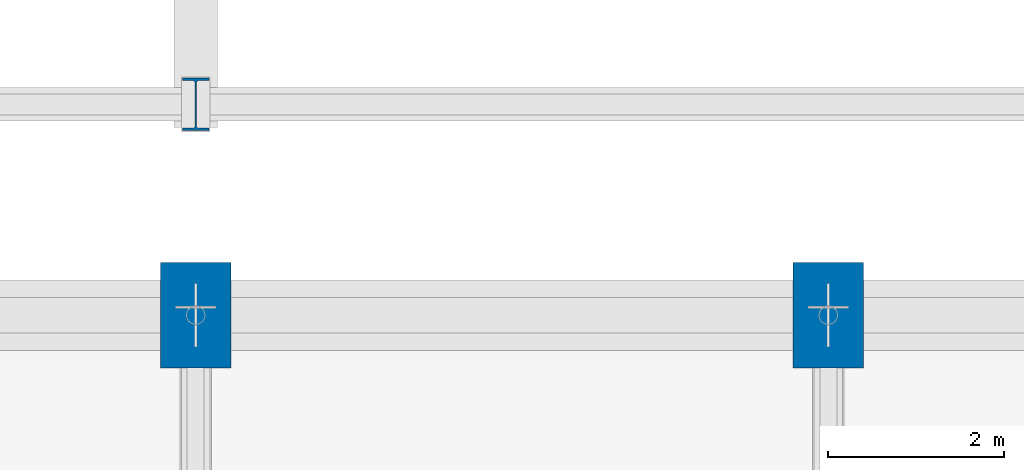
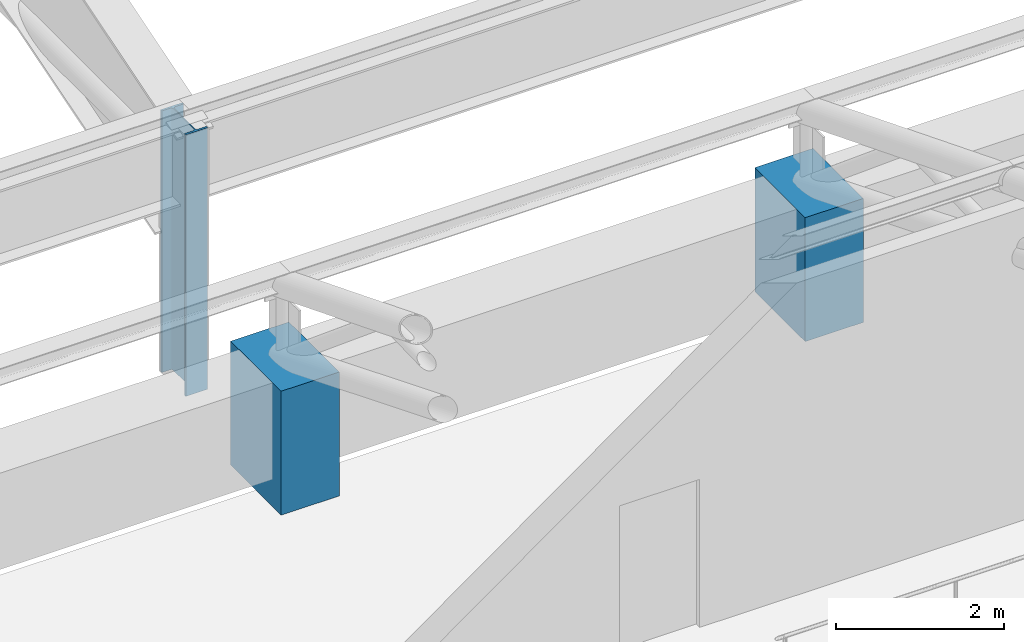
# One storey, part 8 of 116: 3 columns.
"""IFC4 building model written with IfcOpenShell, lengths in metres."""

import ifcopenshell
import ifcopenshell.guid

model = None  # the IFC model being written
_history = None  # IfcOwnerHistory: only IFC2X3 demands one
_inside = {}  # id of a spatial element -> (the spatial element, [elements in it])
_under = {}  # id of a project, library or spatial element -> (it, [spatial elements below it])
_declared = {}  # id of a project -> (the project, [libraries it declares])
_typed = {}  # id of a type object -> (the type object, [elements of that type])
_made_of = {}  # id of a material, layer set ... -> (it, [elements and type objects made of it])


def new_model(schema):
    """Start an empty IFC model of exactly this schema.

    Asked for "IFC4X3", IfcOpenShell would pick the latest addendum, in which some entities
    have other attributes; the version numbers below select the first issue.
    IFC2X3 requires an IfcOwnerHistory on every rooted entity: one is made here for all.
    """
    global model, _history
    if schema == "IFC4X3":
        model = ifcopenshell.file(schema_version=(4, 3, 0, 0))
    else:
        model = ifcopenshell.file(schema=schema)
    _inside.clear()
    _under.clear()
    _declared.clear()
    _typed.clear()
    _made_of.clear()
    _history = None
    if model.schema == "IFC2X3":
        org = make("IfcOrganization", Name="unknown")
        user = make(
            "IfcPersonAndOrganization",
            ThePerson=make("IfcPerson", FamilyName="unknown"),
            TheOrganization=org,
        )
        app = make(
            "IfcApplication",
            ApplicationDeveloper=org,
            Version="unknown",
            ApplicationFullName="unknown",
            ApplicationIdentifier="unknown",
        )
        _history = make(
            "IfcOwnerHistory",
            OwningUser=user,
            OwningApplication=app,
            ChangeAction="ADDED",
            CreationDate=0,
        )
    return model


def make(cls, **values):
    """One entity of the class cls with the attributes given. An attribute that is None is left unset."""
    return model.create_entity(
        cls, **{name: value for name, value in values.items() if value is not None}
    )


def rooted(cls, **values):
    """An entity with a GlobalId (a new one), such as an element, a storey or a relation."""
    return make(cls, GlobalId=ifcopenshell.guid.new(), OwnerHistory=_history, **values)


def si_unit(unit_type, name, prefix=None):
    """IfcSIUnit, for example si_unit("LENGTHUNIT", "METRE", prefix="MILLI")."""
    return make("IfcSIUnit", UnitType=unit_type, Prefix=prefix, Name=name)


def assignment(units):
    """IfcUnitAssignment: the units of a project."""
    return None if units is None else make("IfcUnitAssignment", Units=units)


def point(xyz):
    """IfcCartesianPoint."""
    return None if xyz is None else make("IfcCartesianPoint", Coordinates=xyz)


def direction(xyz):
    """IfcDirection."""
    return None if xyz is None else make("IfcDirection", DirectionRatios=xyz)


def frame(location, z_axis=None, x_axis=None):
    """IfcAxis2Placement3D, a coordinate frame: its origin and axes. An axis left out is left unset."""
    return make(
        "IfcAxis2Placement3D",
        Location=point(location),
        Axis=direction(z_axis),
        RefDirection=direction(x_axis),
    )


def frame_2d(location, x_axis=None):
    """IfcAxis2Placement2D, a coordinate frame in the plane: its origin and x axis."""
    return make(
        "IfcAxis2Placement2D", Location=point(location), RefDirection=direction(x_axis)
    )


def origin():
    """The frame at (0, 0, 0) with its axes left unset."""
    return frame((0.0, 0.0, 0.0))


def origin_2d():
    """The frame at (0, 0) in the plane with its x axis left unset."""
    return frame_2d((0.0, 0.0))


def place(relative_to, where):
    """IfcLocalPlacement: puts the frame where relative to a parent placement (None: the world)."""
    return make(
        "IfcLocalPlacement", PlacementRelTo=relative_to, RelativePlacement=where
    )


def context(
    kind, dimensions, precision=None, world=None, true_north=None, identifier=None
):
    """IfcGeometricRepresentationContext, for example the 3D "Model" context."""
    return make(
        "IfcGeometricRepresentationContext",
        ContextIdentifier=identifier,
        ContextType=kind,
        CoordinateSpaceDimension=dimensions,
        Precision=precision,
        WorldCoordinateSystem=world,
        TrueNorth=true_north,
    )


def subcontext(parent, identifier, kind, view, scale=None):
    """IfcGeometricRepresentationSubContext, for example "Body" below "Model"."""
    return make(
        "IfcGeometricRepresentationSubContext",
        ContextIdentifier=identifier,
        ContextType=kind,
        ParentContext=parent,
        TargetScale=scale,
        TargetView=view,
    )


def project(units=None, contexts=None):
    """IfcProject with its units and contexts."""
    return rooted(
        "IfcProject",
        Name="project",
        RepresentationContexts=contexts,
        UnitsInContext=assignment(units),
    )


def spatial(cls, under=None, at=None, **own):
    """A site, building, storey or space (cls), placed at a placement, below another one or the project."""
    s = rooted(cls, ObjectPlacement=at, **own)
    if under is not None:
        _under.setdefault(under.id(), (under, []))[1].append(s)
    return s


def profile(cls, at=None, kind="AREA", **sizes):
    """A parametric profile (cls). Its sizes go by their IFC names, for example OverallWidth=200.0."""
    return make(cls, ProfileType=kind, Position=at, **sizes)


def rectangle(**sizes):
    """IfcRectangleProfileDef."""
    return profile("IfcRectangleProfileDef", **sizes)


def i_section(**sizes):
    """IfcIShapeProfileDef."""
    return profile("IfcIShapeProfileDef", **sizes)


def extrude(swept, where, along, depth):
    """IfcExtrudedAreaSolid: the profile swept, set in the frame where, extruded along a direction by depth."""
    return make(
        "IfcExtrudedAreaSolid",
        SweptArea=swept,
        Position=where,
        ExtrudedDirection=direction(along),
        Depth=depth,
    )


def shape(context_of_items, identifier, shape_type, items):
    """IfcShapeRepresentation: the items that make up one representation, for example the "Body"."""
    return make(
        "IfcShapeRepresentation",
        ContextOfItems=context_of_items,
        RepresentationIdentifier=identifier,
        RepresentationType=shape_type,
        Items=items,
    )


def material(Name=None, Category=None):
    """IfcMaterial."""
    return make("IfcMaterial", Name=Name, Category=Category)


def material_profile(
    of_material, cross_section, Name=None, Category=None, Priority=None
):
    """IfcMaterialProfile: a cross section and its material."""
    return make(
        "IfcMaterialProfile",
        Name=Name,
        Material=of_material,
        Profile=cross_section,
        Priority=Priority,
        Category=Category,
    )


def profile_set(profiles, Name=None, composite=None):
    """IfcMaterialProfileSet."""
    return make(
        "IfcMaterialProfileSet",
        Name=Name,
        MaterialProfiles=profiles,
        CompositeProfile=composite,
    )


def made_of(thing, what):
    """Note that an element or type object is made of a material, layer set ...; save() writes the relation."""
    if what is not None:
        _made_of.setdefault(what.id(), (what, []))[1].append(thing)
    return thing


def type_object(cls, material=None, **own):
    """A type object (cls), such as IfcWallType, which elements share."""
    return made_of(rooted(cls, **own), material)


def element(
    cls,
    number,
    at=None,
    inside=None,
    cuts=None,
    type_object=None,
    material=None,
    context=None,
    identifier="Body",
    shape_type=None,
    held_by="IfcProductDefinitionShape",
    body=None,
    shapes=None,
    **own,
):
    """One element of the class cls, such as IfcWall. Its Tag is "e" and its number.

    at: its placement. inside: the storey or other place that contains it. cuts: it is an
    opening in that element (IfcRelVoidsElement). A single representation is given by context,
    identifier, shape_type and body (its items); several are given by shapes. held_by: the class
    of the entity that holds the representations. save() writes the other relations.
    """
    e = rooted(cls, Tag="e%d" % number, ObjectPlacement=at, **own)
    if body is not None:
        shapes = [shape(context, identifier, shape_type, body)]
    if shapes is not None:
        e.Representation = make(held_by, Representations=shapes)
    if inside is not None:
        _inside.setdefault(inside.id(), (inside, []))[1].append(e)
    if cuts is not None:
        rooted(
            "IfcRelVoidsElement", RelatingBuildingElement=cuts, RelatedOpeningElement=e
        )
    if type_object is not None:
        _typed.setdefault(type_object.id(), (type_object, []))[1].append(e)
    return made_of(e, material)


def aggregate(whole, parts):
    """IfcRelAggregates: a whole, such as a stair, and the parts it consists of."""
    return rooted("IfcRelAggregates", RelatingObject=whole, RelatedObjects=parts)


def save(model, path):
    """Write the relations noted so far, then the file.

    IfcRelAggregates (storeys below a building ...), IfcRelContainedInSpatialStructure (elements
    in a storey), IfcRelDefinesByType, IfcRelAssociatesMaterial and IfcRelDeclares: one each for
    every whole, place, type object, material and project.
    """
    for whole, parts in _under.values():
        aggregate(whole, parts)
    for where, things in _inside.values():
        rooted(
            "IfcRelContainedInSpatialStructure",
            RelatedElements=things,
            RelatingStructure=where,
        )
    for kind, things in _typed.values():
        rooted("IfcRelDefinesByType", RelatedObjects=things, RelatingType=kind)
    for what, things in _made_of.values():
        rooted("IfcRelAssociatesMaterial", RelatedObjects=things, RelatingMaterial=what)
    for by, libraries in _declared.values():
        rooted("IfcRelDeclares", RelatingContext=by, RelatedDefinitions=libraries)
    model.write(path)


model = new_model("IFC4")

# Units and contexts
model_context = context("Model", 3, precision=1e-05, world=origin(), true_north=direction((0.0, 1.0)))
body_context = subcontext(model_context, "Body", "Model", "MODEL_VIEW")
ifc_project = project(units=[si_unit("LENGTHUNIT", "METRE"), si_unit("AREAUNIT", "SQUARE_METRE"), si_unit("VOLUMEUNIT", "CUBIC_METRE"), si_unit("PLANEANGLEUNIT", "RADIAN"), si_unit("MASSUNIT", "GRAM", prefix="KILO")], contexts=[model_context])

# Site, building, storey
site_placement = place(None, origin())
site = spatial("IfcSite", under=ifc_project, at=site_placement, CompositionType="ELEMENT")
building_placement = place(site_placement, origin())
building = spatial("IfcBuilding", under=site, at=building_placement, Name="Cendralis Lancet Convention Centre", CompositionType="ELEMENT")
storey_placement = place(building_placement, frame((0.0, 0.0, 15.0)))
storey = spatial("IfcBuildingStorey", under=building, at=storey_placement, Name="L03", CompositionType="ELEMENT", Elevation=15.0)

# Columns
ifc_material_1 = material(Name="Concrete G40 (C40/50)", Category="concrete")
ifc_material_profile_1 = material_profile(ifc_material_1, rectangle(XDim=0.800048828125, YDim=1.199951171875, at=origin_2d()), Name="RC 800x1200")
ifc_profile_set_1 = profile_set([ifc_material_profile_1], Name="Concrete G40 (C40/50)")
column_type_1 = type_object("IfcColumnType", Name="STR-COL-C15", PredefinedType="COLUMN", material=ifc_profile_set_1)
for number, where, z_axis, x_axis, name in (
    (1, (182.39990234375, 91.199951171875, 0.0), (0.0, 0.0, 1.0), (1.0, 0.0, 0.0), "L03 Column C15 at 182.4,91.2"),
    (2, (189.60009765625, 91.199951171875, 0.0), (0.0, 0.0, 1.0), (1.0, 0.0, 0.0), "L03 Column C15 at 189.6,91.2"),
):
    element("IfcColumn", number, at=place(storey_placement, frame(where, z_axis=z_axis, x_axis=x_axis)), inside=storey, type_object=column_type_1, Name=name, PredefinedType="COLUMN", context=body_context, shape_type="SweptSolid", body=[
        extrude(rectangle(XDim=0.800048828125, YDim=1.199951171875, at=origin_2d()), origin(), (0.0, 0.0, 1.0), 1.800048828125),
    ])
ifc_material_2 = material(Name="Steel S355", Category="steel")
ifc_material_profile_2 = material_profile(ifc_material_2, i_section(OverallWidth=0.300048828125, OverallDepth=0.60009765625, WebThickness=0.015380859375, FlangeThickness=0.030029296875, FilletRadius=0.027099609375, at=origin_2d()), Name="HEB 600")
ifc_profile_set_2 = profile_set([ifc_material_profile_2], Name="Steel S355")
column_type_2 = type_object("IfcColumnType", Name="STR-COL-C21", PredefinedType="COLUMN", material=ifc_profile_set_2)
column_placement = place(storey_placement, frame((182.39990234375, 93.60009765625, 0.0), z_axis=(0.0, 0.0, 1.0), x_axis=(1.0, 0.0, 0.0)))
element("IfcColumn", 3, at=column_placement, inside=storey, type_object=column_type_2, Name="L03 Column C21 at 182.4,93.6", PredefinedType="COLUMN", context=body_context, shape_type="SweptSolid", body=[
    extrude(i_section(OverallWidth=0.300048828125, OverallDepth=0.60009765625, WebThickness=0.015380859375, FlangeThickness=0.030029296875, FilletRadius=0.027099609375, at=origin_2d()), origin(), (0.0, 0.0, 1.0), 3.800048828125),
])

save(model, "model.ifc")
